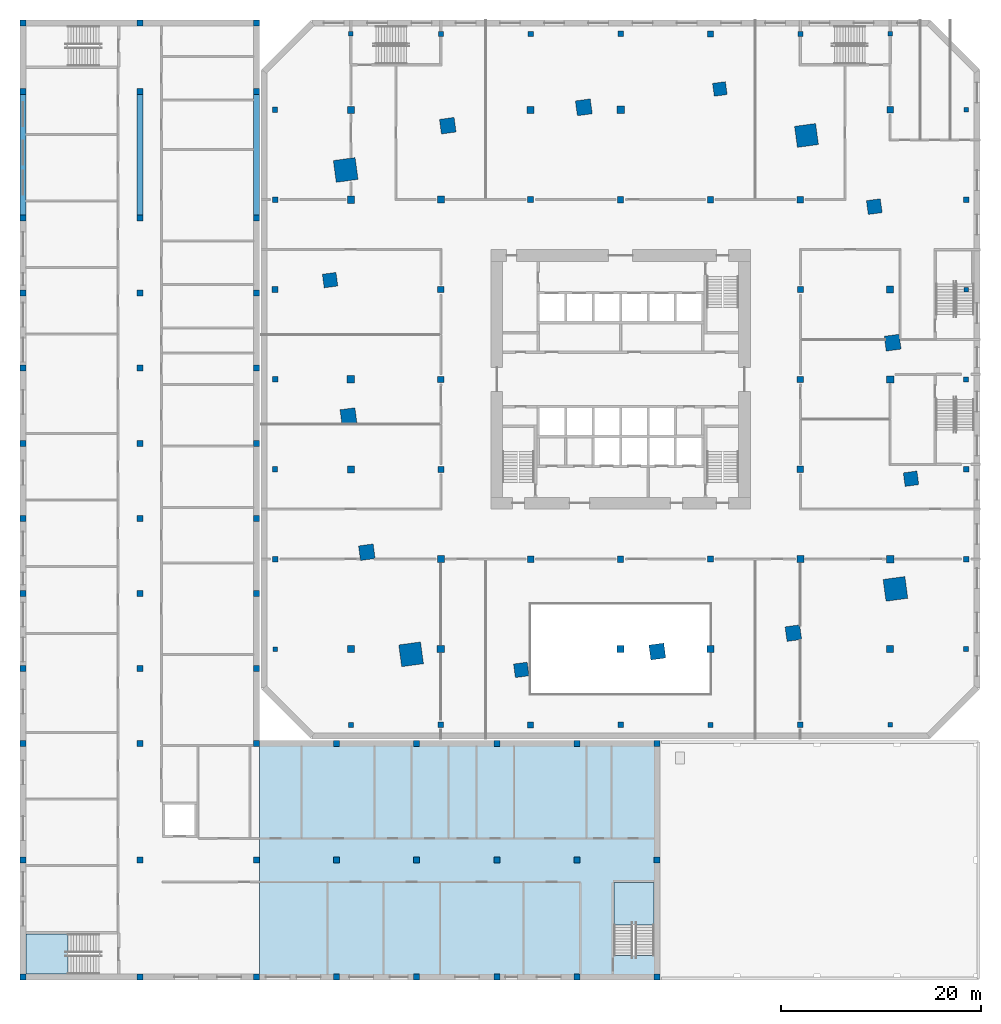
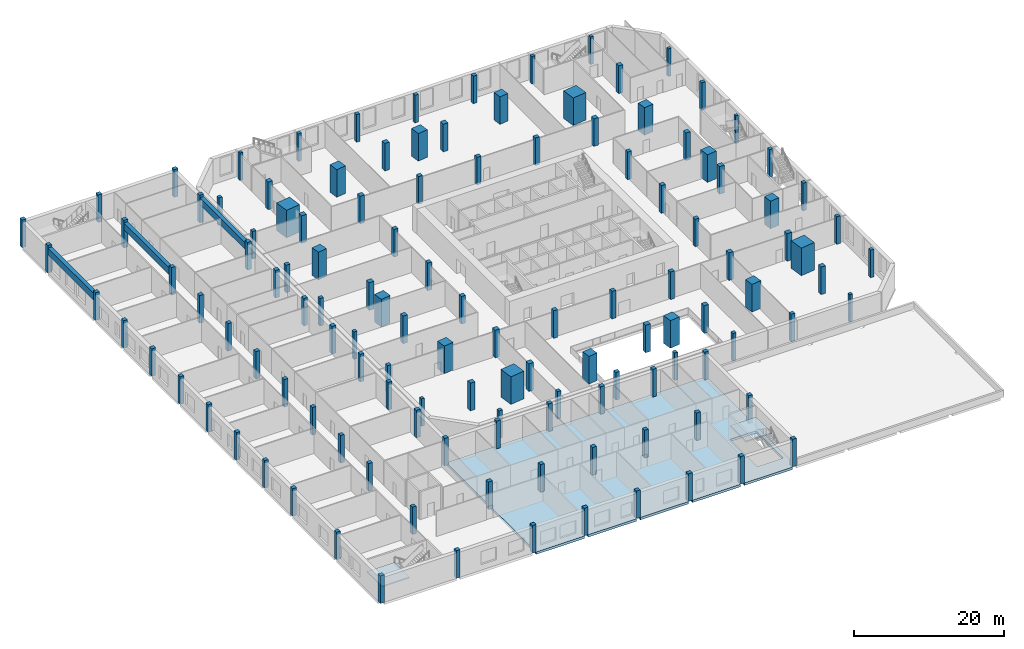
# One storey, part 1 of 20: 126 columns, 3 beams, 3 slabs, 2 elements without a shape of their own.
"""IFC4 building model written with IfcOpenShell, lengths in metres."""

from ifc_helpers import new_model, si_unit, direction, frame, origin, origin_2d, place, context, subcontext, project, spatial, polyline, rectangle, outline, extrude, material, layer, layer_set, material_profile, profile_set, type_object, element, aggregate, save


model = new_model("IFC4")

# Units and contexts
model_context = context("Model", 3, precision=1e-05, world=origin(), true_north=direction((0.0, 1.0)))
body_context = subcontext(model_context, "Body", "Model", "MODEL_VIEW")
ifc_project = project(units=[si_unit("LENGTHUNIT", "METRE"), si_unit("AREAUNIT", "SQUARE_METRE"), si_unit("VOLUMEUNIT", "CUBIC_METRE"), si_unit("PLANEANGLEUNIT", "RADIAN"), si_unit("MASSUNIT", "GRAM", prefix="KILO")], contexts=[model_context])

# Site, building, storey
site_placement = place(None, origin())
site = spatial("IfcSite", under=ifc_project, at=site_placement, CompositionType="ELEMENT")
building_placement = place(site_placement, origin())
building = spatial("IfcBuilding", under=site, at=building_placement, Name="Dilmun Exchange Tower", CompositionType="ELEMENT")
storey_placement = place(building_placement, frame((0.0, 0.0, 9.0)))
storey = spatial("IfcBuildingStorey", under=building, at=storey_placement, Name="L02", CompositionType="ELEMENT", Elevation=9.0)

# Columns
ifc_material_1 = material(Name="Concrete C80/95", Category="concrete")
ifc_material_profile_1 = material_profile(ifc_material_1, rectangle(XDim=2.125, YDim=2.125, at=origin_2d()), Name="2125 x 2125")
ifc_profile_set_1 = profile_set([ifc_material_profile_1], Name="Concrete C80/95")
column_type_1 = type_object("IfcColumnType", Name="RC mega column 2125 x 2125 C80/95", PredefinedType="COLUMN", material=ifc_profile_set_1)
column_1_placement = place(storey_placement, frame((18.6220703125, 24.43701171875, 0.0), z_axis=(0.0, 0.0, 1.0), x_axis=(0.991001197216, 0.133853005627, 0.0)))
element("IfcColumn", 1, at=column_1_placement, inside=storey, type_object=column_type_1, Name="Mega column M1", PredefinedType="COLUMN", context=body_context, shape_type="SweptSolid", body=[
    extrude(rectangle(XDim=2.125, YDim=2.125, at=origin_2d()), origin(), (0.0, 0.0, 1.0), 4.5),
])
ifc_material_profile_2 = material_profile(ifc_material_1, rectangle(XDim=2.199951171875, YDim=2.199951171875, at=origin_2d()), Name="2200 x 2200")
ifc_profile_set_2 = profile_set([ifc_material_profile_2], Name="Concrete C80/95")
column_type_2 = type_object("IfcColumnType", Name="RC mega column 2200 x 2200 C80/95", PredefinedType="COLUMN", material=ifc_profile_set_2)
for number, where, z_axis, x_axis, name in (
    (2, (-27.531005859375, 20.97900390625, 0.0), (0.0, 0.0, 1.0), (0.991001197216, 0.133853005627, 0.0), "Mega column M2"),
    (3, (-20.97900390625, -27.531005859375, 0.0), (0.0, 0.0, 1.0), (0.991001197216, 0.133853005627, 0.0), "Mega column M3"),
    (4, (27.531005859375, -20.97900390625, 0.0), (0.0, 0.0, 1.0), (0.991001197216, 0.133853005627, 0.0), "Mega column M4"),
):
    element("IfcColumn", number, at=place(storey_placement, frame(where, z_axis=z_axis, x_axis=x_axis)), inside=storey, type_object=column_type_2, Name=name, PredefinedType="COLUMN", context=body_context, shape_type="SweptSolid", body=[
        extrude(rectangle(XDim=2.199951171875, YDim=2.199951171875, at=origin_2d()), origin(), (0.0, 0.0, 1.0), 4.5),
    ])
ifc_material_2 = material(Name="Concrete C60/75", Category="concrete")
ifc_material_profile_3 = material_profile(ifc_material_2, rectangle(XDim=0.449951171875, YDim=0.449951171875, at=origin_2d()), Name="450 x 450")
ifc_profile_set_3 = profile_set([ifc_material_profile_3], Name="Concrete C60/75")
column_type_3 = type_object("IfcColumnType", Name="RC podium column 450 x 450 C60/75", PredefinedType="COLUMN", material=ifc_profile_set_3)
for number, where, z_axis, x_axis, name in (
    (5, (-34.60009765625, -27.0, 0.0), (0.0, 0.0, 1.0), (1.0, 0.0, 0.0), "Podium column 5F"),
    (6, (-27.0, 34.60009765625, 0.0), (0.0, 0.0, 1.0), (1.0, 0.0, 0.0), "Podium column 6N"),
    (7, (27.0, -34.60009765625, 0.0), (0.0, 0.0, 1.0), (1.0, 0.0, 0.0), "Podium column 12E"),
    (8, (27.0, 34.60009765625, 0.0), (0.0, 0.0, 1.0), (1.0, 0.0, 0.0), "Podium column 12N"),
    (9, (34.60009765625, 9.0, 0.0), (0.0, 0.0, 1.0), (1.0, 0.0, 0.0), "Podium column 13K"),
    (10, (34.60009765625, 27.0, 0.0), (0.0, 0.0, 1.0), (1.0, 0.0, 0.0), "Podium column 13M"),
):
    element("IfcColumn", number, at=place(storey_placement, frame(where, z_axis=z_axis, x_axis=x_axis)), inside=storey, type_object=column_type_3, Name=name, PredefinedType="COLUMN", context=body_context, shape_type="SweptSolid", body=[
        extrude(rectangle(XDim=0.449951171875, YDim=0.449951171875, at=origin_2d()), origin(), (0.0, 0.0, 1.0), 4.5),
    ])
ifc_material_profile_4 = material_profile(ifc_material_2, rectangle(XDim=0.5, YDim=0.5, at=origin_2d()), Name="500 x 500")
ifc_profile_set_4 = profile_set([ifc_material_profile_4], Name="Concrete C60/75")
column_type_4 = type_object("IfcColumnType", Name="RC podium column 500 x 500 C60/75", PredefinedType="COLUMN", material=ifc_profile_set_4)
for number, where, z_axis, x_axis, name in (
    (11, (-18.0, 34.60009765625, 0.0), (0.0, 0.0, 1.0), (1.0, 0.0, 0.0), "Podium column 7N"),
    (12, (18.0, 34.60009765625, 0.0), (0.0, 0.0, 1.0), (1.0, 0.0, 0.0), "Podium column 11N"),
):
    element("IfcColumn", number, at=place(storey_placement, frame(where, z_axis=z_axis, x_axis=x_axis)), inside=storey, type_object=column_type_4, Name=name, PredefinedType="COLUMN", context=body_context, shape_type="SweptSolid", body=[
        extrude(rectangle(XDim=0.5, YDim=0.5, at=origin_2d()), origin(), (0.0, 0.0, 1.0), 4.5),
    ])
ifc_material_profile_5 = material_profile(ifc_material_2, rectangle(XDim=0.52490234375, YDim=0.52490234375, at=origin_2d()), Name="525 x 525")
ifc_profile_set_5 = profile_set([ifc_material_profile_5], Name="Concrete C60/75")
column_type_5 = type_object("IfcColumnType", Name="RC podium column 525 x 525 C60/75", PredefinedType="COLUMN", material=ifc_profile_set_5)
for number, where, z_axis, x_axis, name in (
    (13, (-34.60009765625, -9.0, 0.0), (0.0, 0.0, 1.0), (1.0, 0.0, 0.0), "Podium column 5H"),
    (14, (-34.60009765625, 27.0, 0.0), (0.0, 0.0, 1.0), (1.0, 0.0, 0.0), "Podium column 5M"),
    (15, (-27.0, -34.60009765625, 0.0), (0.0, 0.0, 1.0), (1.0, 0.0, 0.0), "Podium column 6E"),
    (16, (-9.0, 34.60009765625, 0.0), (0.0, 0.0, 1.0), (1.0, 0.0, 0.0), "Podium column 8N"),
    (17, (9.0, -34.60009765625, 0.0), (0.0, 0.0, 1.0), (1.0, 0.0, 0.0), "Podium column 10E"),
    (18, (34.60009765625, -27.0, 0.0), (0.0, 0.0, 1.0), (1.0, 0.0, 0.0), "Podium column 13F"),
    (19, (34.60009765625, 0.0, 0.0), (0.0, 0.0, 1.0), (1.0, 0.0, 0.0), "Podium column 13J"),
):
    element("IfcColumn", number, at=place(storey_placement, frame(where, z_axis=z_axis, x_axis=x_axis)), inside=storey, type_object=column_type_5, Name=name, PredefinedType="COLUMN", context=body_context, shape_type="SweptSolid", body=[
        extrude(rectangle(XDim=0.52490234375, YDim=0.52490234375, at=origin_2d()), origin(), (0.0, 0.0, 1.0), 4.5),
    ])
ifc_material_profile_6 = material_profile(ifc_material_2, rectangle(XDim=0.550048828125, YDim=0.550048828125, at=origin_2d()), Name="550 x 550")
ifc_profile_set_6 = profile_set([ifc_material_profile_6], Name="Concrete C60/75")
column_type_6 = type_object("IfcColumnType", Name="RC podium column 550 x 550 C60/75", PredefinedType="COLUMN", material=ifc_profile_set_6)
for number, where, z_axis, x_axis, name in (
    (20, (-34.60009765625, -18.0, 0.0), (0.0, 0.0, 1.0), (1.0, 0.0, 0.0), "Podium column 5G"),
    (21, (-34.60009765625, 0.0, 0.0), (0.0, 0.0, 1.0), (1.0, 0.0, 0.0), "Podium column 5J"),
    (22, (-34.60009765625, 18.0, 0.0), (0.0, 0.0, 1.0), (1.0, 0.0, 0.0), "Podium column 5L"),
    (23, (-18.0, -34.60009765625, 0.0), (0.0, 0.0, 1.0), (1.0, 0.0, 0.0), "Podium column 7E"),
    (24, (0.0, -34.60009765625, 0.0), (0.0, 0.0, 1.0), (1.0, 0.0, 0.0), "Podium column 9E"),
    (25, (0.0, 34.60009765625, 0.0), (0.0, 0.0, 1.0), (1.0, 0.0, 0.0), "Podium column 9N"),
    (26, (18.0, -34.60009765625, 0.0), (0.0, 0.0, 1.0), (1.0, 0.0, 0.0), "Podium column 11E"),
    (27, (34.60009765625, -18.0, 0.0), (0.0, 0.0, 1.0), (1.0, 0.0, 0.0), "Podium column 13G"),
    (28, (34.60009765625, -9.0, 0.0), (0.0, 0.0, 1.0), (1.0, 0.0, 0.0), "Podium column 13H"),
    (29, (34.60009765625, 18.0, 0.0), (0.0, 0.0, 1.0), (1.0, 0.0, 0.0), "Podium column 13L"),
):
    element("IfcColumn", number, at=place(storey_placement, frame(where, z_axis=z_axis, x_axis=x_axis)), inside=storey, type_object=column_type_6, Name=name, PredefinedType="COLUMN", context=body_context, shape_type="SweptSolid", body=[
        extrude(rectangle(XDim=0.550048828125, YDim=0.550048828125, at=origin_2d()), origin(), (0.0, 0.0, 1.0), 4.5),
    ])
ifc_material_profile_7 = material_profile(ifc_material_2, rectangle(XDim=0.60009765625, YDim=0.60009765625, at=origin_2d()), Name="600 x 600")
ifc_profile_set_7 = profile_set([ifc_material_profile_7], Name="Concrete C60/75")
column_type_7 = type_object("IfcColumnType", Name="RC podium column 600 x 600 C60/75", PredefinedType="COLUMN", material=ifc_profile_set_7)
for number, where, z_axis, x_axis, name in (
    (30, (-34.60009765625, 9.0, 0.0), (0.0, 0.0, 1.0), (1.0, 0.0, 0.0), "Podium column 5K"),
    (31, (-18.0, -9.0, 0.0), (0.0, 0.0, 1.0), (1.0, 0.0, 0.0), "Podium column 7H"),
    (32, (-9.0, -34.60009765625, 0.0), (0.0, 0.0, 1.0), (1.0, 0.0, 0.0), "Podium column 8E"),
    (33, (-9.0, 18.0, 0.0), (0.0, 0.0, 1.0), (1.0, 0.0, 0.0), "Podium column 8L"),
    (34, (9.0, -18.0, 0.0), (0.0, 0.0, 1.0), (1.0, 0.0, 0.0), "Podium column 10G"),
    (35, (9.0, 34.60009765625, 0.0), (0.0, 0.0, 1.0), (1.0, 0.0, 0.0), "Podium column 10N"),
    (36, (18.0, 9.0, 0.0), (0.0, 0.0, 1.0), (1.0, 0.0, 0.0), "Podium column 11K"),
):
    element("IfcColumn", number, at=place(storey_placement, frame(where, z_axis=z_axis, x_axis=x_axis)), inside=storey, type_object=column_type_7, Name=name, PredefinedType="COLUMN", context=body_context, shape_type="SweptSolid", body=[
        extrude(rectangle(XDim=0.60009765625, YDim=0.60009765625, at=origin_2d()), origin(), (0.0, 0.0, 1.0), 4.5),
    ])
ifc_material_profile_8 = material_profile(ifc_material_2, rectangle(XDim=0.625, YDim=0.625, at=origin_2d()), Name="625 x 625")
ifc_profile_set_8 = profile_set([ifc_material_profile_8], Name="Concrete C60/75")
column_type_8 = type_object("IfcColumnType", Name="RC podium column 625 x 625 C60/75", PredefinedType="COLUMN", material=ifc_profile_set_8)
for number, where, z_axis, x_axis, name in (
    (37, (-18.0, 0.0, 0.0), (0.0, 0.0, 1.0), (1.0, 0.0, 0.0), "Podium column 7J"),
    (38, (-18.0, 9.0, 0.0), (0.0, 0.0, 1.0), (1.0, 0.0, 0.0), "Podium column 7K"),
    (39, (-9.0, -18.0, 0.0), (0.0, 0.0, 1.0), (1.0, 0.0, 0.0), "Podium column 8G"),
    (40, (0.0, -18.0, 0.0), (0.0, 0.0, 1.0), (1.0, 0.0, 0.0), "Podium column 9G"),
    (41, (0.0, 18.0, 0.0), (0.0, 0.0, 1.0), (1.0, 0.0, 0.0), "Podium column 9L"),
    (42, (9.0, 18.0, 0.0), (0.0, 0.0, 1.0), (1.0, 0.0, 0.0), "Podium column 10L"),
    (43, (18.0, -9.0, 0.0), (0.0, 0.0, 1.0), (1.0, 0.0, 0.0), "Podium column 11H"),
    (44, (18.0, 0.0, 0.0), (0.0, 0.0, 1.0), (1.0, 0.0, 0.0), "Podium column 11J"),
):
    element("IfcColumn", number, at=place(storey_placement, frame(where, z_axis=z_axis, x_axis=x_axis)), inside=storey, type_object=column_type_8, Name=name, PredefinedType="COLUMN", context=body_context, shape_type="SweptSolid", body=[
        extrude(rectangle(XDim=0.625, YDim=0.625, at=origin_2d()), origin(), (0.0, 0.0, 1.0), 4.5),
    ])
ifc_material_profile_9 = material_profile(ifc_material_2, rectangle(XDim=0.675048828125, YDim=0.675048828125, at=origin_2d()), Name="675 x 675")
ifc_profile_set_9 = profile_set([ifc_material_profile_9], Name="Concrete C60/75")
column_type_9 = type_object("IfcColumnType", Name="RC podium column 675 x 675 C60/75", PredefinedType="COLUMN", material=ifc_profile_set_9)
for number, where, z_axis, x_axis, name in (
    (45, (18.0, 18.0, 0.0), (0.0, 0.0, 1.0), (1.0, 0.0, 0.0), "Podium column 11L"),
    (46, (27.0, 27.0, 0.0), (0.0, 0.0, 1.0), (1.0, 0.0, 0.0), "Podium column 12M"),
):
    element("IfcColumn", number, at=place(storey_placement, frame(where, z_axis=z_axis, x_axis=x_axis)), inside=storey, type_object=column_type_9, Name=name, PredefinedType="COLUMN", context=body_context, shape_type="SweptSolid", body=[
        extrude(rectangle(XDim=0.675048828125, YDim=0.675048828125, at=origin_2d()), origin(), (0.0, 0.0, 1.0), 4.5),
    ])
ifc_material_profile_10 = material_profile(ifc_material_2, rectangle(XDim=0.699951171875, YDim=0.699951171875, at=origin_2d()), Name="700 x 700")
ifc_profile_set_10 = profile_set([ifc_material_profile_10], Name="Concrete C60/75")
column_type_10 = type_object("IfcColumnType", Name="RC podium column 700 x 700 C60/75", PredefinedType="COLUMN", material=ifc_profile_set_10)
for number, where, z_axis, x_axis, name in (
    (47, (-27.0, -27.0, 0.0), (0.0, 0.0, 1.0), (1.0, 0.0, 0.0), "Podium column 6F"),
    (48, (-27.0, -9.0, 0.0), (0.0, 0.0, 1.0), (1.0, 0.0, 0.0), "Podium column 6H"),
    (49, (-27.0, 27.0, 0.0), (0.0, 0.0, 1.0), (1.0, 0.0, 0.0), "Podium column 6M"),
    (50, (-18.0, -18.0, 0.0), (0.0, 0.0, 1.0), (1.0, 0.0, 0.0), "Podium column 7G"),
    (51, (-18.0, 18.0, 0.0), (0.0, 0.0, 1.0), (1.0, 0.0, 0.0), "Podium column 7L"),
    (52, (-9.0, 27.0, 0.0), (0.0, 0.0, 1.0), (1.0, 0.0, 0.0), "Podium column 8M"),
    (53, (9.0, -27.0, 0.0), (0.0, 0.0, 1.0), (1.0, 0.0, 0.0), "Podium column 10F"),
    (54, (18.0, -18.0, 0.0), (0.0, 0.0, 1.0), (1.0, 0.0, 0.0), "Podium column 11G"),
    (55, (27.0, -27.0, 0.0), (0.0, 0.0, 1.0), (1.0, 0.0, 0.0), "Podium column 12F"),
    (56, (27.0, 9.0, 0.0), (0.0, 0.0, 1.0), (1.0, 0.0, 0.0), "Podium column 12K"),
):
    element("IfcColumn", number, at=place(storey_placement, frame(where, z_axis=z_axis, x_axis=x_axis)), inside=storey, type_object=column_type_10, Name=name, PredefinedType="COLUMN", context=body_context, shape_type="SweptSolid", body=[
        extrude(rectangle(XDim=0.699951171875, YDim=0.699951171875, at=origin_2d()), origin(), (0.0, 0.0, 1.0), 4.5),
    ])
ifc_material_profile_11 = material_profile(ifc_material_2, rectangle(XDim=0.72509765625, YDim=0.72509765625, at=origin_2d()), Name="725 x 725")
ifc_profile_set_11 = profile_set([ifc_material_profile_11], Name="Concrete C60/75")
column_type_11 = type_object("IfcColumnType", Name="RC podium column 725 x 725 C60/75", PredefinedType="COLUMN", material=ifc_profile_set_11)
for number, where, z_axis, x_axis, name in (
    (57, (-27.0, 18.0, 0.0), (0.0, 0.0, 1.0), (1.0, 0.0, 0.0), "Podium column 6L"),
    (58, (-18.0, -27.0, 0.0), (0.0, 0.0, 1.0), (1.0, 0.0, 0.0), "Podium column 7F"),
    (59, (0.0, -27.0, 0.0), (0.0, 0.0, 1.0), (1.0, 0.0, 0.0), "Podium column 9F"),
    (60, (27.0, -18.0, 0.0), (0.0, 0.0, 1.0), (1.0, 0.0, 0.0), "Podium column 12G"),
    (61, (27.0, 0.0, 0.0), (0.0, 0.0, 1.0), (1.0, 0.0, 0.0), "Podium column 12J"),
):
    element("IfcColumn", number, at=place(storey_placement, frame(where, z_axis=z_axis, x_axis=x_axis)), inside=storey, type_object=column_type_11, Name=name, PredefinedType="COLUMN", context=body_context, shape_type="SweptSolid", body=[
        extrude(rectangle(XDim=0.72509765625, YDim=0.72509765625, at=origin_2d()), origin(), (0.0, 0.0, 1.0), 4.5),
    ])
ifc_material_profile_12 = material_profile(ifc_material_2, rectangle(XDim=0.75, YDim=0.75, at=origin_2d()), Name="750 x 750")
ifc_profile_set_12 = profile_set([ifc_material_profile_12], Name="Concrete C60/75")
column_type_12 = type_object("IfcColumnType", Name="RC podium column 750 x 750 C60/75", PredefinedType="COLUMN", material=ifc_profile_set_12)
for number, where, z_axis, x_axis, name in (
    (62, (-27.0, 0.0, 0.0), (0.0, 0.0, 1.0), (1.0, 0.0, 0.0), "Podium column 6J"),
    (63, (0.0, 27.0, 0.0), (0.0, 0.0, 1.0), (1.0, 0.0, 0.0), "Podium column 9M"),
):
    element("IfcColumn", number, at=place(storey_placement, frame(where, z_axis=z_axis, x_axis=x_axis)), inside=storey, type_object=column_type_12, Name=name, PredefinedType="COLUMN", context=body_context, shape_type="SweptSolid", body=[
        extrude(rectangle(XDim=0.75, YDim=0.75, at=origin_2d()), origin(), (0.0, 0.0, 1.0), 4.5),
    ])
ifc_material_profile_13 = material_profile(ifc_material_1, rectangle(XDim=1.300048828125, YDim=1.300048828125, at=origin_2d()), Name="1300 x 1300")
ifc_profile_set_13 = profile_set([ifc_material_profile_13], Name="Concrete C80/95")
column_type_13 = type_object("IfcColumnType", Name="RC ring column 1300 x 1300 C80/95", PredefinedType="COLUMN", material=ifc_profile_set_13)
column_2_placement = place(storey_placement, frame((9.945068359375, 29.093017578125, 0.0), z_axis=(0.0, 0.0, 1.0), x_axis=(0.991001197216, 0.133853005627, 0.0)))
element("IfcColumn", 64, at=column_2_placement, inside=storey, type_object=column_type_13, Name="Ring column R01", PredefinedType="COLUMN", context=body_context, shape_type="SweptSolid", body=[
    extrude(rectangle(XDim=1.300048828125, YDim=1.300048828125, at=origin_2d()), origin(), (0.0, 0.0, 1.0), 4.5),
])
ifc_material_profile_14 = material_profile(ifc_material_1, rectangle(XDim=1.375, YDim=1.375, at=origin_2d()), Name="1375 x 1375")
ifc_profile_set_14 = profile_set([ifc_material_profile_14], Name="Concrete C80/95")
column_type_14 = type_object("IfcColumnType", Name="RC ring column 1375 x 1375 C80/95", PredefinedType="COLUMN", material=ifc_profile_set_14)
for number, where, z_axis, x_axis, name in (
    (65, (-29.093017578125, 9.945068359375, 0.0), (0.0, 0.0, 1.0), (0.991001197216, 0.133853005627, 0.0), "Ring column R04"),
    (66, (-9.945068359375, -29.093017578125, 0.0), (0.0, 0.0, 1.0), (0.991001197216, 0.133853005627, 0.0), "Ring column R07"),
    (67, (29.093017578125, -9.945068359375, 0.0), (0.0, 0.0, 1.0), (0.991001197216, 0.133853005627, 0.0), "Ring column R10"),
):
    element("IfcColumn", number, at=place(storey_placement, frame(where, z_axis=z_axis, x_axis=x_axis)), inside=storey, type_object=column_type_14, Name=name, PredefinedType="COLUMN", context=body_context, shape_type="SweptSolid", body=[
        extrude(rectangle(XDim=1.375, YDim=1.375, at=origin_2d()), origin(), (0.0, 0.0, 1.0), 4.5),
    ])
ifc_material_profile_15 = material_profile(ifc_material_1, rectangle(XDim=1.39990234375, YDim=1.39990234375, at=origin_2d()), Name="1400 x 1400")
ifc_profile_set_15 = profile_set([ifc_material_profile_15], Name="Concrete C80/95")
column_type_15 = type_object("IfcColumnType", Name="RC ring column 1400 x 1400 C80/95", PredefinedType="COLUMN", material=ifc_profile_set_15)
column_3_placement = place(storey_placement, frame((25.412109375, 17.306884765625, 0.0), z_axis=(0.0, 0.0, 1.0), x_axis=(0.991001197216, 0.133853005627, 0.0)))
element("IfcColumn", 68, at=column_3_placement, inside=storey, type_object=column_type_15, Name="Ring column R12", PredefinedType="COLUMN", context=body_context, shape_type="SweptSolid", body=[
    extrude(rectangle(XDim=1.39990234375, YDim=1.39990234375, at=origin_2d()), origin(), (0.0, 0.0, 1.0), 4.5),
])
ifc_material_profile_16 = material_profile(ifc_material_1, rectangle(XDim=1.47509765625, YDim=1.47509765625, at=origin_2d()), Name="1475 x 1475")
ifc_profile_set_16 = profile_set([ifc_material_profile_16], Name="Concrete C80/95")
column_type_16 = type_object("IfcColumnType", Name="RC ring column 1475 x 1475 C80/95", PredefinedType="COLUMN", material=ifc_profile_set_16)
for number, where, z_axis, x_axis, name in (
    (69, (-17.306884765625, 25.412109375, 0.0), (0.0, 0.0, 1.0), (0.991001197216, 0.133853005627, 0.0), "Ring column R03"),
    (70, (-25.412109375, -17.306884765625, 0.0), (0.0, 0.0, 1.0), (0.991001197216, 0.133853005627, 0.0), "Ring column R06"),
    (71, (17.306884765625, -25.412109375, 0.0), (0.0, 0.0, 1.0), (0.991001197216, 0.133853005627, 0.0), "Ring column R09"),
):
    element("IfcColumn", number, at=place(storey_placement, frame(where, z_axis=z_axis, x_axis=x_axis)), inside=storey, type_object=column_type_16, Name=name, PredefinedType="COLUMN", context=body_context, shape_type="SweptSolid", body=[
        extrude(rectangle(XDim=1.47509765625, YDim=1.47509765625, at=origin_2d()), origin(), (0.0, 0.0, 1.0), 4.5),
    ])
ifc_material_profile_17 = material_profile(ifc_material_1, rectangle(XDim=1.5, YDim=1.5, at=origin_2d()), Name="1500 x 1500")
ifc_profile_set_17 = profile_set([ifc_material_profile_17], Name="Concrete C80/95")
column_type_17 = type_object("IfcColumnType", Name="RC ring column 1500 x 1500 C80/95", PredefinedType="COLUMN", material=ifc_profile_set_17)
for number, where, z_axis, x_axis, name in (
    (72, (-3.680908203125, 27.2529296875, 0.0), (0.0, 0.0, 1.0), (0.991001197216, 0.133853005627, 0.0), "Ring column R02"),
    (73, (-27.2529296875, -3.680908203125, 0.0), (0.0, 0.0, 1.0), (0.991001197216, 0.133853005627, 0.0), "Ring column R05"),
    (74, (3.680908203125, -27.2529296875, 0.0), (0.0, 0.0, 1.0), (0.991001197216, 0.133853005627, 0.0), "Ring column R08"),
    (75, (27.2529296875, 3.680908203125, 0.0), (0.0, 0.0, 1.0), (0.991001197216, 0.133853005627, 0.0), "Ring column R11"),
):
    element("IfcColumn", number, at=place(storey_placement, frame(where, z_axis=z_axis, x_axis=x_axis)), inside=storey, type_object=column_type_17, Name=name, PredefinedType="COLUMN", context=body_context, shape_type="SweptSolid", body=[
        extrude(rectangle(XDim=1.5, YDim=1.5, at=origin_2d()), origin(), (0.0, 0.0, 1.0), 4.5),
    ])
ifc_material_3 = material(Name="Concrete C40/50", Category="concrete")
ifc_material_profile_18 = material_profile(ifc_material_3, rectangle(XDim=0.60009765625, YDim=0.60009765625, at=origin_2d()), Name="600 x 600")
ifc_profile_set_18 = profile_set([ifc_material_profile_18], Name="Concrete C40/50")
column_type_18 = type_object("IfcColumnType", Name="School column 600 x 600 C40/50", PredefinedType="COLUMN", material=ifc_profile_set_18)
for number, where, z_axis, x_axis, name in (
    (76, (-59.85009765625, -59.85009765625, 0.0), (0.0, 0.0, 1.0), (1.0, 0.0, 0.0), "School column X01Y01"),
    (77, (-59.85009765625, -48.14990234375, 0.0), (0.0, 0.0, 1.0), (1.0, 0.0, 0.0), "School column X01Y02"),
    (78, (-59.85009765625, -36.449951171875, 0.0), (0.0, 0.0, 1.0), (1.0, 0.0, 0.0), "School column X01Y03"),
    (79, (-59.85009765625, -28.93603515625, 0.0), (0.0, 0.0, 1.0), (1.0, 0.0, 0.0), "School column X01Y04"),
    (80, (-59.85009765625, -21.4208984375, 0.0), (0.0, 0.0, 1.0), (1.0, 0.0, 0.0), "School column X01Y05"),
    (81, (-59.85009765625, -13.906982421875, 0.0), (0.0, 0.0, 1.0), (1.0, 0.0, 0.0), "School column X01Y06"),
    (82, (-59.85009765625, -6.39306640625, 0.0), (0.0, 0.0, 1.0), (1.0, 0.0, 0.0), "School column X01Y07"),
    (83, (-59.85009765625, 1.12109375, 0.0), (0.0, 0.0, 1.0), (1.0, 0.0, 0.0), "School column X01Y08"),
    (84, (-59.85009765625, 8.635986328125, 0.0), (0.0, 0.0, 1.0), (1.0, 0.0, 0.0), "School column X01Y09"),
    (85, (-59.85009765625, 16.14990234375, 0.0), (0.0, 0.0, 1.0), (1.0, 0.0, 0.0), "School column X01Y10"),
    (86, (-59.85009765625, 28.85009765625, 0.0), (0.0, 0.0, 1.0), (1.0, 0.0, 0.0), "School column X01Y11"),
    (87, (-59.85009765625, 35.699951171875, 0.0), (0.0, 0.0, 1.0), (1.0, 0.0, 0.0), "School column X01Y12"),
    (88, (-48.14990234375, -59.85009765625, 0.0), (0.0, 0.0, 1.0), (1.0, 0.0, 0.0), "School column X02Y01"),
    (89, (-48.14990234375, -48.14990234375, 0.0), (0.0, 0.0, 1.0), (1.0, 0.0, 0.0), "School column X02Y02"),
    (90, (-48.14990234375, -36.449951171875, 0.0), (0.0, 0.0, 1.0), (1.0, 0.0, 0.0), "School column X02Y03"),
    (91, (-48.14990234375, -28.93603515625, 0.0), (0.0, 0.0, 1.0), (1.0, 0.0, 0.0), "School column X02Y04"),
    (92, (-48.14990234375, -21.4208984375, 0.0), (0.0, 0.0, 1.0), (1.0, 0.0, 0.0), "School column X02Y05"),
    (93, (-48.14990234375, -13.906982421875, 0.0), (0.0, 0.0, 1.0), (1.0, 0.0, 0.0), "School column X02Y06"),
    (94, (-48.14990234375, -6.39306640625, 0.0), (0.0, 0.0, 1.0), (1.0, 0.0, 0.0), "School column X02Y07"),
    (95, (-48.14990234375, 1.12109375, 0.0), (0.0, 0.0, 1.0), (1.0, 0.0, 0.0), "School column X02Y08"),
    (96, (-48.14990234375, 8.635986328125, 0.0), (0.0, 0.0, 1.0), (1.0, 0.0, 0.0), "School column X02Y09"),
    (97, (-48.14990234375, 16.14990234375, 0.0), (0.0, 0.0, 1.0), (1.0, 0.0, 0.0), "School column X02Y10"),
    (98, (-48.14990234375, 28.85009765625, 0.0), (0.0, 0.0, 1.0), (1.0, 0.0, 0.0), "School column X02Y11"),
    (99, (-48.14990234375, 35.699951171875, 0.0), (0.0, 0.0, 1.0), (1.0, 0.0, 0.0), "School column X02Y12"),
    (100, (-36.449951171875, -59.85009765625, 0.0), (0.0, 0.0, 1.0), (1.0, 0.0, 0.0), "School column X03Y01"),
    (101, (-36.449951171875, -48.14990234375, 0.0), (0.0, 0.0, 1.0), (1.0, 0.0, 0.0), "School column X03Y02"),
    (102, (-36.449951171875, -36.449951171875, 0.0), (0.0, 0.0, 1.0), (1.0, 0.0, 0.0), "School column X03Y03"),
    (103, (-36.449951171875, -28.93603515625, 0.0), (0.0, 0.0, 1.0), (1.0, 0.0, 0.0), "School column X03Y04"),
    (104, (-36.449951171875, -21.4208984375, 0.0), (0.0, 0.0, 1.0), (1.0, 0.0, 0.0), "School column X03Y05"),
    (105, (-36.449951171875, -13.906982421875, 0.0), (0.0, 0.0, 1.0), (1.0, 0.0, 0.0), "School column X03Y06"),
    (106, (-36.449951171875, -6.39306640625, 0.0), (0.0, 0.0, 1.0), (1.0, 0.0, 0.0), "School column X03Y07"),
    (107, (-36.449951171875, 1.12109375, 0.0), (0.0, 0.0, 1.0), (1.0, 0.0, 0.0), "School column X03Y08"),
    (108, (-36.449951171875, 8.635986328125, 0.0), (0.0, 0.0, 1.0), (1.0, 0.0, 0.0), "School column X03Y09"),
    (109, (-36.449951171875, 16.14990234375, 0.0), (0.0, 0.0, 1.0), (1.0, 0.0, 0.0), "School column X03Y10"),
    (110, (-36.449951171875, 28.85009765625, 0.0), (0.0, 0.0, 1.0), (1.0, 0.0, 0.0), "School column X03Y11"),
    (111, (-36.449951171875, 35.699951171875, 0.0), (0.0, 0.0, 1.0), (1.0, 0.0, 0.0), "School column X03Y12"),
    (112, (-28.43310546875, -59.85009765625, 0.0), (0.0, 0.0, 1.0), (1.0, 0.0, 0.0), "School column X04Y01"),
    (113, (-28.43310546875, -48.14990234375, 0.0), (0.0, 0.0, 1.0), (1.0, 0.0, 0.0), "School column X04Y02"),
    (114, (-28.43310546875, -36.449951171875, 0.0), (0.0, 0.0, 1.0), (1.0, 0.0, 0.0), "School column X04Y03"),
    (115, (-20.4169921875, -59.85009765625, 0.0), (0.0, 0.0, 1.0), (1.0, 0.0, 0.0), "School column X05Y01"),
    (116, (-20.4169921875, -48.14990234375, 0.0), (0.0, 0.0, 1.0), (1.0, 0.0, 0.0), "School column X05Y02"),
    (117, (-20.4169921875, -36.449951171875, 0.0), (0.0, 0.0, 1.0), (1.0, 0.0, 0.0), "School column X05Y03"),
    (118, (-12.39990234375, -59.85009765625, 0.0), (0.0, 0.0, 1.0), (1.0, 0.0, 0.0), "School column X06Y01"),
    (119, (-12.39990234375, -48.14990234375, 0.0), (0.0, 0.0, 1.0), (1.0, 0.0, 0.0), "School column X06Y02"),
    (120, (-12.39990234375, -36.449951171875, 0.0), (0.0, 0.0, 1.0), (1.0, 0.0, 0.0), "School column X06Y03"),
    (121, (-4.383056640625, -59.85009765625, 0.0), (0.0, 0.0, 1.0), (1.0, 0.0, 0.0), "School column X07Y01"),
    (122, (-4.383056640625, -48.14990234375, 0.0), (0.0, 0.0, 1.0), (1.0, 0.0, 0.0), "School column X07Y02"),
    (123, (-4.383056640625, -36.449951171875, 0.0), (0.0, 0.0, 1.0), (1.0, 0.0, 0.0), "School column X07Y03"),
    (124, (3.633056640625, -59.85009765625, 0.0), (0.0, 0.0, 1.0), (1.0, 0.0, 0.0), "School column X08Y01"),
    (125, (3.633056640625, -48.14990234375, 0.0), (0.0, 0.0, 1.0), (1.0, 0.0, 0.0), "School column X08Y02"),
    (126, (3.633056640625, -36.449951171875, 0.0), (0.0, 0.0, 1.0), (1.0, 0.0, 0.0), "School column X08Y03"),
):
    element("IfcColumn", number, at=place(storey_placement, frame(where, z_axis=z_axis, x_axis=x_axis)), inside=storey, type_object=column_type_18, Name=name, PredefinedType="COLUMN", context=body_context, shape_type="SweptSolid", body=[
        extrude(rectangle(XDim=0.60009765625, YDim=0.60009765625, at=origin_2d()), origin(), (0.0, 0.0, 1.0), 4.5),
    ])

# Beams
ifc_material_profile_19 = material_profile(ifc_material_3, rectangle(XDim=0.60009765625, YDim=1.10009765625, at=origin_2d()), Name="600 x 1100")
ifc_profile_set_19 = profile_set([ifc_material_profile_19], Name="Concrete C40/50")
beam_type = type_object("IfcBeamType", Name="School girder 600 x 1100", PredefinedType="BEAM", material=ifc_profile_set_19)
for number, where, z_axis, x_axis, name in (
    (127, (-59.85009765625, 16.449951171875, 3.550048828125), (0.0, 1.0, 0.0), (-1.0, 0.0, 0.0), "School girder over arcade"),
    (128, (-48.14990234375, 16.449951171875, 3.550048828125), (0.0, 1.0, 0.0), (-1.0, 0.0, 0.0), "School girder over arcade"),
    (129, (-36.449951171875, 16.449951171875, 3.550048828125), (0.0, 1.0, 0.0), (-1.0, 0.0, 0.0), "School girder over arcade"),
):
    element("IfcBeam", number, at=place(storey_placement, frame(where, z_axis=z_axis, x_axis=x_axis)), inside=storey, type_object=beam_type, Name=name, PredefinedType="BEAM", context=body_context, shape_type="SweptSolid", body=[
        extrude(rectangle(XDim=0.60009765625, YDim=1.10009765625, at=origin_2d()), origin(), (0.0, 0.0, 1.0), 12.10009765625),
    ])

# Slab
ifc_layer_1 = layer(ifc_material_3, 0.39990234375)
ifc_layer_set_1 = layer_set([ifc_layer_1], Name="Concrete C40/50")
slab_type_1 = type_object("IfcSlabType", Name="School flat slab 400 PT", PredefinedType="FLOOR", material=ifc_layer_set_1)
slab_1_placement = place(storey_placement, frame((0.0, 0.0, -0.39990234375)))
element("IfcSlab", 130, at=slab_1_placement, inside=storey, type_object=slab_type_1, Name="School slab L02", PredefinedType="FLOOR", context=body_context, shape_type="SweptSolid", body=[
    extrude(outline(polyline([(3.3330078125, -36.75), (3.93310546875, -36.75), (3.93310546875, -47.85009765625), (3.3330078125, -47.85009765625), (3.3330078125, -48.449951171875), (3.93310546875, -48.449951171875), (3.93310546875, -59.550048828125), (3.3330078125, -59.550048828125), (3.3330078125, -60.14990234375), (-4.0830078125, -60.14990234375), (-4.0830078125, -59.550048828125), (-4.68310546875, -59.550048828125), (-4.68310546875, -60.14990234375), (-12.10009765625, -60.14990234375), (-12.10009765625, -59.550048828125), (-12.699951171875, -59.550048828125), (-12.699951171875, -60.14990234375), (-20.116943359375, -60.14990234375), (-20.116943359375, -59.550048828125), (-20.717041015625, -59.550048828125), (-20.717041015625, -60.14990234375), (-28.133056640625, -60.14990234375), (-28.133056640625, -59.550048828125), (-28.73291015625, -59.550048828125), (-28.73291015625, -60.14990234375), (-36.14990234375, -60.14990234375), (-36.14990234375, -36.14990234375), (-28.73291015625, -36.14990234375), (-28.73291015625, -36.75), (-28.133056640625, -36.75), (-28.133056640625, -36.14990234375), (-20.717041015625, -36.14990234375), (-20.717041015625, -36.75), (-20.116943359375, -36.75), (-20.116943359375, -36.14990234375), (-12.699951171875, -36.14990234375), (-12.699951171875, -36.75), (-12.10009765625, -36.75), (-12.10009765625, -36.14990234375), (-4.68310546875, -36.14990234375), (-4.68310546875, -36.75), (-4.0830078125, -36.75), (-4.0830078125, -36.14990234375), (3.3330078125, -36.14990234375), (3.3330078125, -36.75)]), holes=[polyline([(-28.73291015625, -47.85009765625), (-28.73291015625, -48.449951171875), (-28.133056640625, -48.449951171875), (-28.133056640625, -47.85009765625), (-28.73291015625, -47.85009765625)]), polyline([(-20.717041015625, -47.85009765625), (-20.717041015625, -48.449951171875), (-20.116943359375, -48.449951171875), (-20.116943359375, -47.85009765625), (-20.717041015625, -47.85009765625)]), polyline([(-12.699951171875, -47.85009765625), (-12.699951171875, -48.449951171875), (-12.10009765625, -48.449951171875), (-12.10009765625, -47.85009765625), (-12.699951171875, -47.85009765625)]), polyline([(-4.68310546875, -48.449951171875), (-4.0830078125, -48.449951171875), (-4.0830078125, -47.85009765625), (-4.68310546875, -47.85009765625), (-4.68310546875, -48.449951171875)]), polyline([(-0.64794921875, -57.7060546875), (3.333984375, -57.7060546875), (3.333984375, -50.39892578125), (-0.64794921875, -50.39892578125), (-0.64794921875, -57.7060546875)])]), origin(), (0.0, 0.0, 1.0), 0.39990234375),
])

# Stair, slab
stair_type = type_object("IfcStairType", Name="School exit stair 1850 wide", PredefinedType="HALF_TURN_STAIR", material=ifc_material_3)
stair_1_placement = place(storey_placement, origin())
stair_1 = element("IfcStair", 131, at=stair_1_placement, inside=storey, type_object=stair_type, Name="L02 Stair S2", PredefinedType="HALF_TURN_STAIR")
ifc_layer_2 = layer(ifc_material_3, 0.199951171875)
ifc_layer_set_2 = layer_set([ifc_layer_2], Name="Concrete C40/50")
slab_type_2 = type_object("IfcSlabType", Name="School stair landing 200", PredefinedType="LANDING", material=ifc_layer_set_2)
slab_2_placement = place(storey_placement, frame((0.0, 0.0, 2.050048828125)))
slab_2 = element("IfcSlab", 132, at=slab_2_placement, type_object=slab_type_2, Name="SCH-S2 landing 1", PredefinedType="LANDING", context=body_context, shape_type="SweptSolid", body=[
    extrude(outline(polyline([(-55.330078125, -55.550048828125), (-59.550048828125, -55.550048828125), (-59.550048828125, -59.550048828125), (-55.330078125, -59.550048828125), (-55.330078125, -55.550048828125)])), origin(), (0.0, 0.0, 1.0), 0.199951171875),
])
aggregate(stair_1, [slab_2])

stair_2_placement = place(storey_placement, origin())
stair_2 = element("IfcStair", 133, at=stair_2_placement, inside=storey, type_object=stair_type, Name="L02 Stair S3", PredefinedType="HALF_TURN_STAIR")
slab_3_placement = place(storey_placement, frame((0.0, 0.0, 2.050048828125)))
slab_3 = element("IfcSlab", 134, at=slab_3_placement, type_object=slab_type_2, Name="SCH-S3 landing 1", PredefinedType="LANDING", context=body_context, shape_type="SweptSolid", body=[
    extrude(outline(polyline([(3.3330078125, -54.6298828125), (3.3330078125, -50.39990234375), (-0.64697265625, -50.39990234375), (-0.64697265625, -54.6298828125), (3.3330078125, -54.6298828125)])), origin(), (0.0, 0.0, 1.0), 0.199951171875),
])
aggregate(stair_2, [slab_3])

save(model, "model.ifc")
